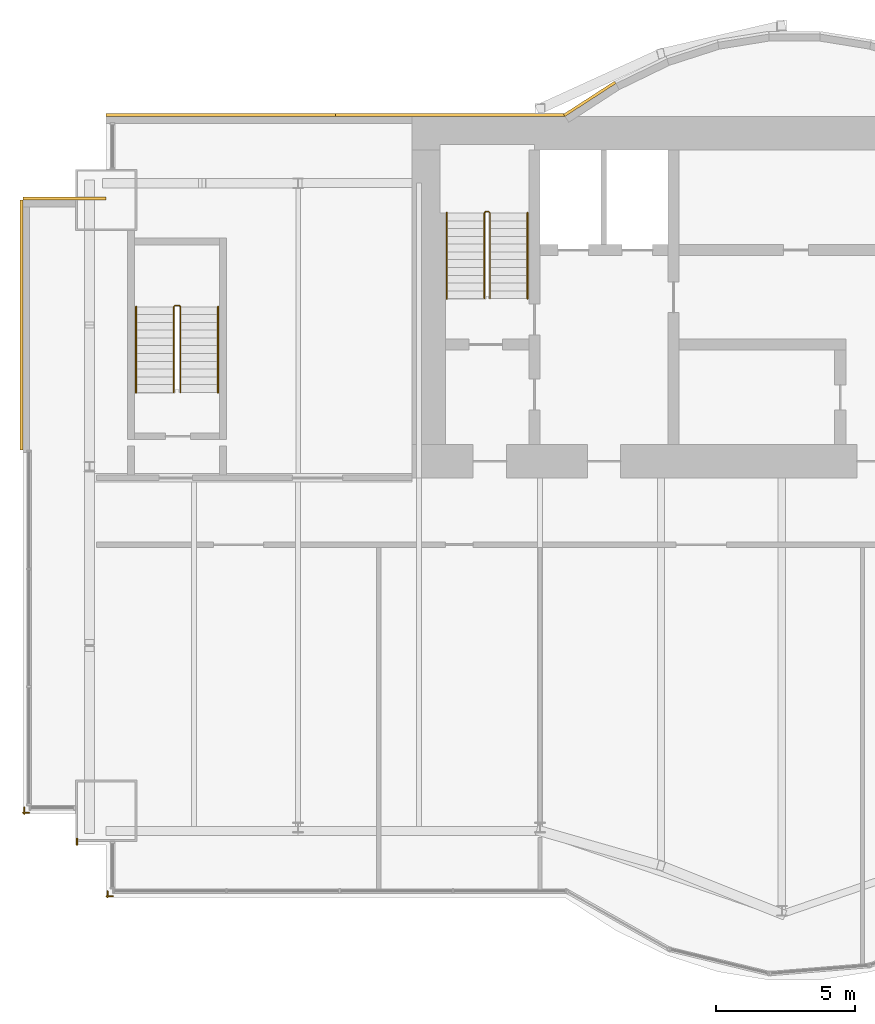
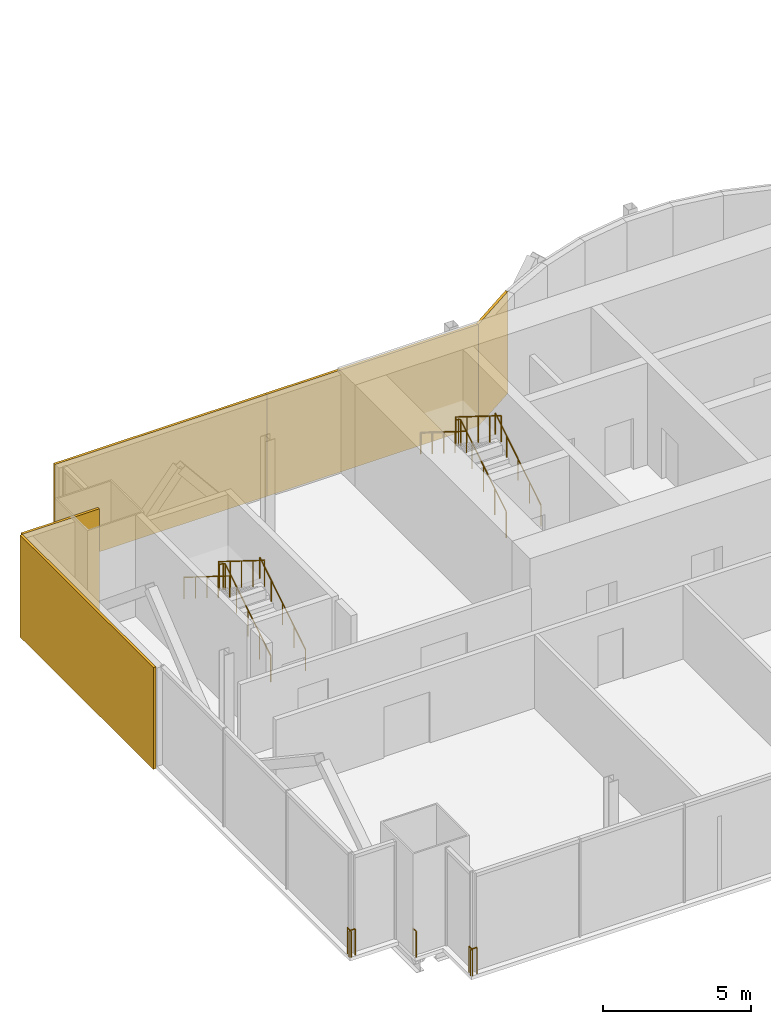
# One storey, part 17 of 19: 9 railings, 5 coverings.
"""IFC4 building model written with IfcOpenShell, lengths in metres."""

from ifc_helpers import new_model, si_unit, direction, frame, origin, origin_2d, place, context, subcontext, project, spatial, rectangle, circle, extrude, material, layer, layer_set, type_object, element, save


model = new_model("IFC4")

# Units and contexts
model_context = context("Model", 3, precision=1e-05, world=origin(), true_north=direction((0.0, 1.0)))
body_context = subcontext(model_context, "Body", "Model", "MODEL_VIEW")
ifc_project = project(units=[si_unit("LENGTHUNIT", "METRE"), si_unit("AREAUNIT", "SQUARE_METRE"), si_unit("VOLUMEUNIT", "CUBIC_METRE"), si_unit("PLANEANGLEUNIT", "RADIAN"), si_unit("MASSUNIT", "GRAM", prefix="KILO")], contexts=[model_context])

# Site, building, storey
site_placement = place(None, origin())
site = spatial("IfcSite", under=ifc_project, at=site_placement, CompositionType="ELEMENT")
building_placement = place(site_placement, origin())
building = spatial("IfcBuilding", under=site, at=building_placement, Name="Bicima Exchange Tower", CompositionType="ELEMENT")
storey_placement = place(building_placement, frame((0.0, 0.0, 279.199951171875)))
storey = spatial("IfcBuildingStorey", under=building, at=storey_placement, Name="L63", CompositionType="ELEMENT", Elevation=279.199951171875)

# Coverings
ifc_material_1 = material(Name="Bronze metal cladding")
ifc_layer_1 = layer(ifc_material_1, 0.004)
ifc_material_2 = material(Name="Ventilated cavity")
ifc_layer_2 = layer(ifc_material_2, 0.06)
ifc_material_3 = material(Name="Galvanised steel rail and mineral wool", Category="steel")
ifc_layer_3 = layer(ifc_material_3, 0.036)
ifc_layer_set = layer_set([ifc_layer_1, ifc_layer_2, ifc_layer_3], Name="Ventilated cavity")
covering_type = type_object("IfcCoveringType", Name="Bronze metal cladding panel 100", PredefinedType="CLADDING", material=ifc_layer_set)
covering_1_placement = place(storey_placement, frame((-15.610595703125, 0.634521484375, -0.14990234375), z_axis=(0.0, 0.0, 1.0), x_axis=(-0.839790466384, -0.542910648791, 0.0)))
element("IfcCovering", 1, at=covering_1_placement, inside=storey, type_object=covering_type, Name="Bronze cladding L63 19.1", PredefinedType="CLADDING", context=body_context, shape_type="SweptSolid", body=[
    extrude(rectangle(XDim=2.18310546875, YDim=0.10009765625, at=origin_2d()), origin(), (0.0, 0.0, 1.0), 4.199951171875),
])
for number, where, z_axis, x_axis, name in (
    (2, (-20.625, 0.050048828125, -0.14990234375), (0.0, 0.0, 1.0), (-1.0, 0.0, 0.0), "Bronze cladding L63 20.1"),
    (3, (-28.875, 0.050048828125, -0.14990234375), (0.0, 0.0, 1.0), (-1.0, 0.0, 0.0), "Bronze cladding L63 20.2"),
):
    element("IfcCovering", number, at=place(storey_placement, frame(where, z_axis=z_axis, x_axis=x_axis)), inside=storey, type_object=covering_type, Name=name, PredefinedType="CLADDING", context=body_context, shape_type="SweptSolid", body=[
        extrude(rectangle(XDim=8.25, YDim=0.10009765625, at=origin_2d()), origin(), (0.0, 0.0, 1.0), 4.199951171875),
    ])
covering_2_placement = place(storey_placement, frame((-34.5, -2.949951171875, -0.14990234375), z_axis=(0.0, 0.0, 1.0), x_axis=(-1.0, 0.0, 0.0)))
element("IfcCovering", 4, at=covering_2_placement, inside=storey, type_object=covering_type, Name="Bronze cladding L63 22.1", PredefinedType="CLADDING", context=body_context, shape_type="SweptSolid", body=[
    extrude(rectangle(XDim=3.0, YDim=0.10009765625, at=origin_2d()), origin(), (0.0, 0.0, 1.0), 4.199951171875),
])
covering_3_placement = place(storey_placement, frame((-36.050048828125, -7.5, -0.14990234375), z_axis=(0.0, 0.0, 1.0), x_axis=(0.0, -1.0, 0.0)))
element("IfcCovering", 5, at=covering_3_placement, inside=storey, type_object=covering_type, Name="Bronze cladding L63 23.1", PredefinedType="CLADDING", context=body_context, shape_type="SweptSolid", body=[
    extrude(rectangle(XDim=9.0, YDim=0.10009765625, at=origin_2d()), origin(), (0.0, 0.0, 1.0), 4.199951171875),
])

# Railings
ifc_material_4 = material(Name="Stainless steel and bonded safety glass", Category="steel")
railing_type_1 = type_object("IfcRailingType", Name="Edge guard 1100", PredefinedType="GUARDRAIL", material=ifc_material_4)
railing_1_placement = place(storey_placement, frame((-35.762939453125, -25.0419921875, 0.0)))
element("IfcRailing", 6, at=railing_1_placement, inside=storey, type_object=railing_type_1, Name="Edge guard L63 325", PredefinedType="GUARDRAIL", context=body_context, shape_type="SweptSolid", body=[
    extrude(circle(Radius=0.02392578125, at=origin_2d()), frame((0.0, 0.0, 1.076171875), z_axis=(-1.0, 0.0, 0.0), x_axis=(0.0, -1.0, 0.0)), (0.0, 0.0, 1.0), 0.237060546875),
    extrude(circle(Radius=0.02392578125, at=origin_2d()), frame((-0.237060546875, 0.0, 1.076171875), z_axis=(0.707106781187, -0.707106781187, 0.0), x_axis=(0.707106781187, 0.707106781187, 0.0)), (0.0, 0.0, 1.0), 0.07080078125),
    extrude(circle(Radius=0.02392578125, at=origin_2d()), frame((-0.18701171875, -0.050048828125, 1.076171875), z_axis=(0.0, 1.0, 0.0), x_axis=(-1.0, 0.0, 0.0)), (0.0, 0.0, 1.0), 0.248046875),
    extrude(circle(Radius=0.02099609375, at=origin_2d()), origin(), (0.0, 0.0, 1.0), 1.052001953125),
    extrude(circle(Radius=0.02099609375, at=origin_2d()), frame((-0.237060546875, 0.0, 0.0)), (0.0, 0.0, 1.0), 1.052001953125),
    extrude(circle(Radius=0.02099609375, at=origin_2d()), frame((-0.18701171875, -0.050048828125, 0.0)), (0.0, 0.0, 1.0), 1.052001953125),
    extrude(circle(Radius=0.02099609375, at=origin_2d()), frame((-0.18701171875, 0.197998046875, 0.0)), (0.0, 0.0, 1.0), 1.052001953125),
])
railing_2_placement = place(storey_placement, frame((-32.75, -28.0419921875, 0.0)))
element("IfcRailing", 7, at=railing_2_placement, inside=storey, type_object=railing_type_1, Name="Edge guard L63 329", PredefinedType="GUARDRAIL", context=body_context, shape_type="SweptSolid", body=[
    extrude(circle(Radius=0.02392578125, at=origin_2d()), frame((0.0, 0.0, 1.076171875), z_axis=(-1.0, 0.0, 0.0), x_axis=(0.0, -1.0, 0.0)), (0.0, 0.0, 1.0), 0.25),
    extrude(circle(Radius=0.02392578125, at=origin_2d()), frame((-0.25, 0.0, 1.076171875), z_axis=(0.707106781187, -0.707106781187, 0.0), x_axis=(0.707106781187, 0.707106781187, 0.0)), (0.0, 0.0, 1.0), 0.07080078125),
    extrude(circle(Radius=0.02392578125, at=origin_2d()), frame((-0.199951171875, -0.050048828125, 1.076171875), z_axis=(0.0, 1.0, 0.0), x_axis=(-1.0, 0.0, 0.0)), (0.0, 0.0, 1.0), 0.238037109375),
    extrude(circle(Radius=0.02099609375, at=origin_2d()), origin(), (0.0, 0.0, 1.0), 1.052001953125),
    extrude(circle(Radius=0.02099609375, at=origin_2d()), frame((-0.25, 0.0, 0.0)), (0.0, 0.0, 1.0), 1.052001953125),
    extrude(circle(Radius=0.02099609375, at=origin_2d()), frame((-0.199951171875, -0.050048828125, 0.0)), (0.0, 0.0, 1.0), 1.052001953125),
    extrude(circle(Radius=0.02099609375, at=origin_2d()), frame((-0.199951171875, 0.18798828125, 0.0)), (0.0, 0.0, 1.0), 1.052001953125),
])
railing_3_placement = place(storey_placement, frame((-34.050048828125, -26.19189453125, 0.0)))
element("IfcRailing", 8, at=railing_3_placement, inside=storey, type_object=railing_type_1, Name="Edge guard L63 330", PredefinedType="GUARDRAIL", context=body_context, shape_type="SweptSolid", body=[
    extrude(circle(Radius=0.02392578125, at=origin_2d()), frame((0.0, 0.0, 1.076171875), z_axis=(0.0, 1.0, 0.0), x_axis=(-1.0, 0.0, 0.0)), (0.0, 0.0, 1.0), 0.219970703125),
    extrude(circle(Radius=0.02099609375, at=origin_2d()), origin(), (0.0, 0.0, 1.0), 1.052001953125),
    extrude(circle(Radius=0.02099609375, at=origin_2d()), frame((0.0, 0.219970703125, 0.0)), (0.0, 0.0, 1.0), 1.052001953125),
])
ifc_material_5 = material(Name="Stainless steel", Category="steel")
railing_type_2 = type_object("IfcRailingType", Name="Stair guard 1100", PredefinedType="GUARDRAIL", material=ifc_material_5)
railing_4_placement = place(storey_placement, frame((-19.199951171875, -6.550048828125, 0.175048828125)))
element("IfcRailing", 9, at=railing_4_placement, inside=storey, type_object=railing_type_2, Name="L63 ST-W stair guard 1", PredefinedType="GUARDRAIL", context=body_context, shape_type="SweptSolid", body=[
    extrude(circle(Radius=0.02392578125, at=origin_2d()), frame((0.0, 0.0, 1.076171875), z_axis=(0.0, 0.847998304005, 0.529998940003), x_axis=(-1.0, 0.0, 0.0)), (0.0, 0.0, 1.0), 3.632080078125),
    extrude(circle(Radius=0.02392578125, at=origin_2d()), frame((0.0, 3.080078125, 3.0009765625), z_axis=(-0.707106781187, 0.707106781187, 0.0), x_axis=(-0.707106781187, -0.707106781187, 0.0)), (0.0, 0.0, 1.0), 0.07080078125),
    extrude(circle(Radius=0.02392578125, at=origin_2d()), frame((-0.050048828125, 3.130126953125, 3.0009765625), z_axis=(-1.0, 0.0, 0.0), x_axis=(0.0, -1.0, 0.0)), (0.0, 0.0, 1.0), 0.10009765625),
    extrude(circle(Radius=0.02392578125, at=origin_2d()), frame((-0.150146484375, 3.130126953125, 3.0009765625), z_axis=(-0.263862480399, -0.265155923931, 0.927399011991), x_axis=(0.708833529934, -0.705375805398, 0.0)), (0.0, 0.0, 1.0), 0.188720703125),
    extrude(circle(Radius=0.02392578125, at=origin_2d()), frame((-0.199951171875, 3.080078125, 3.17626953125), z_axis=(0.0, -0.848028513186, 0.529950602248), x_axis=(1.0, 0.0, 0.0)), (0.0, 0.0, 1.0), 3.632080078125),
    extrude(circle(Radius=0.02099609375, at=origin_2d()), origin(), (0.0, 0.0, 1.0), 1.052001953125),
    extrude(circle(Radius=0.02099609375, at=origin_2d()), frame((0.0, 0.77001953125, 0.481201171875)), (0.0, 0.0, 1.0), 1.052001953125),
    extrude(circle(Radius=0.02099609375, at=origin_2d()), frame((0.0, 1.5400390625, 0.96240234375)), (0.0, 0.0, 1.0), 1.052001953125),
    extrude(circle(Radius=0.02099609375, at=origin_2d()), frame((0.0, 2.31005859375, 1.44384765625)), (0.0, 0.0, 1.0), 1.052001953125),
    extrude(circle(Radius=0.02099609375, at=origin_2d()), frame((0.0, 3.080078125, 1.925048828125)), (0.0, 0.0, 1.0), 1.052001953125),
    extrude(circle(Radius=0.02099609375, at=origin_2d()), frame((-0.050048828125, 3.130126953125, 1.925048828125)), (0.0, 0.0, 1.0), 1.052001953125),
    extrude(circle(Radius=0.02099609375, at=origin_2d()), frame((-0.150146484375, 3.130126953125, 1.925048828125)), (0.0, 0.0, 1.0), 1.052001953125),
    extrude(circle(Radius=0.02099609375, at=origin_2d()), frame((-0.199951171875, 3.080078125, 2.10009765625)), (0.0, 0.0, 1.0), 1.052001953125),
    extrude(circle(Radius=0.02099609375, at=origin_2d()), frame((-0.199951171875, 2.31005859375, 2.581298828125)), (0.0, 0.0, 1.0), 1.052001953125),
    extrude(circle(Radius=0.02099609375, at=origin_2d()), frame((-0.199951171875, 1.5400390625, 3.0625)), (0.0, 0.0, 1.0), 1.052001953125),
    extrude(circle(Radius=0.02099609375, at=origin_2d()), frame((-0.199951171875, 0.77001953125, 3.543701171875)), (0.0, 0.0, 1.0), 1.052001953125),
    extrude(circle(Radius=0.02099609375, at=origin_2d()), frame((-0.199951171875, 0.0, 4.02490234375)), (0.0, 0.0, 1.0), 1.052001953125),
])
railing_5_placement = place(storey_placement, frame((-30.324951171875, -9.925048828125, 0.175048828125)))
element("IfcRailing", 10, at=railing_5_placement, inside=storey, type_object=railing_type_2, Name="L63 ST-WW stair guard 1", PredefinedType="GUARDRAIL", context=body_context, shape_type="SweptSolid", body=[
    extrude(circle(Radius=0.02392578125, at=origin_2d()), frame((0.0, 0.0, 1.076171875), z_axis=(0.0, 0.847998304005, 0.529998940003), x_axis=(-1.0, 0.0, 0.0)), (0.0, 0.0, 1.0), 3.632080078125),
    extrude(circle(Radius=0.02392578125, at=origin_2d()), frame((0.0, 3.080078125, 3.0009765625), z_axis=(-0.707106781187, 0.707106781187, 0.0), x_axis=(-0.707106781187, -0.707106781187, 0.0)), (0.0, 0.0, 1.0), 0.07080078125),
    extrude(circle(Radius=0.02392578125, at=origin_2d()), frame((-0.050048828125, 3.130126953125, 3.0009765625), z_axis=(-1.0, 0.0, 0.0), x_axis=(0.0, -1.0, 0.0)), (0.0, 0.0, 1.0), 0.14990234375),
    extrude(circle(Radius=0.02392578125, at=origin_2d()), frame((-0.199951171875, 3.130126953125, 3.0009765625), z_axis=(-0.265065253269, -0.265065253269, 0.927081885822), x_axis=(0.707106781187, -0.707106781187, 0.0)), (0.0, 0.0, 1.0), 0.188720703125),
    extrude(circle(Radius=0.02392578125, at=origin_2d()), frame((-0.25, 3.080078125, 3.17626953125), z_axis=(0.0, -0.848028513186, 0.529950602248), x_axis=(1.0, 0.0, 0.0)), (0.0, 0.0, 1.0), 3.632080078125),
    extrude(circle(Radius=0.02099609375, at=origin_2d()), origin(), (0.0, 0.0, 1.0), 1.052001953125),
    extrude(circle(Radius=0.02099609375, at=origin_2d()), frame((0.0, 0.77001953125, 0.481201171875)), (0.0, 0.0, 1.0), 1.052001953125),
    extrude(circle(Radius=0.02099609375, at=origin_2d()), frame((0.0, 1.5400390625, 0.96240234375)), (0.0, 0.0, 1.0), 1.052001953125),
    extrude(circle(Radius=0.02099609375, at=origin_2d()), frame((0.0, 2.31005859375, 1.44384765625)), (0.0, 0.0, 1.0), 1.052001953125),
    extrude(circle(Radius=0.02099609375, at=origin_2d()), frame((0.0, 3.080078125, 1.925048828125)), (0.0, 0.0, 1.0), 1.052001953125),
    extrude(circle(Radius=0.02099609375, at=origin_2d()), frame((-0.050048828125, 3.130126953125, 1.925048828125)), (0.0, 0.0, 1.0), 1.052001953125),
    extrude(circle(Radius=0.02099609375, at=origin_2d()), frame((-0.199951171875, 3.130126953125, 1.925048828125)), (0.0, 0.0, 1.0), 1.052001953125),
    extrude(circle(Radius=0.02099609375, at=origin_2d()), frame((-0.25, 3.080078125, 2.10009765625)), (0.0, 0.0, 1.0), 1.052001953125),
    extrude(circle(Radius=0.02099609375, at=origin_2d()), frame((-0.25, 2.31005859375, 2.581298828125)), (0.0, 0.0, 1.0), 1.052001953125),
    extrude(circle(Radius=0.02099609375, at=origin_2d()), frame((-0.25, 1.5400390625, 3.0625)), (0.0, 0.0, 1.0), 1.052001953125),
    extrude(circle(Radius=0.02099609375, at=origin_2d()), frame((-0.25, 0.77001953125, 3.543701171875)), (0.0, 0.0, 1.0), 1.052001953125),
    extrude(circle(Radius=0.02099609375, at=origin_2d()), frame((-0.25, 0.0, 4.02490234375)), (0.0, 0.0, 1.0), 1.052001953125),
])
railing_type_3 = type_object("IfcRailingType", Name="Stair handrail 900", PredefinedType="HANDRAIL", material=ifc_material_5)
railing_6_placement = place(storey_placement, frame((-17.85009765625, -6.550048828125, 0.175048828125)))
element("IfcRailing", 11, at=railing_6_placement, inside=storey, type_object=railing_type_3, Name="L63 ST-W stair handrail 1", PredefinedType="HANDRAIL", context=body_context, shape_type="SweptSolid", body=[
    extrude(circle(Radius=0.02392578125, at=origin_2d()), frame((0.0, 0.0, 0.8759765625), z_axis=(0.0, 0.847998304005, 0.529998940003), x_axis=(-1.0, 0.0, 0.0)), (0.0, 0.0, 1.0), 3.632080078125),
    extrude(circle(Radius=0.02099609375, at=origin_2d()), origin(), (0.0, 0.0, 1.0), 0.851806640625),
    extrude(circle(Radius=0.02099609375, at=origin_2d()), frame((0.0, 0.77001953125, 0.481201171875)), (0.0, 0.0, 1.0), 0.851806640625),
    extrude(circle(Radius=0.02099609375, at=origin_2d()), frame((0.0, 1.5400390625, 0.96240234375)), (0.0, 0.0, 1.0), 0.851806640625),
    extrude(circle(Radius=0.02099609375, at=origin_2d()), frame((0.0, 2.31005859375, 1.44384765625)), (0.0, 0.0, 1.0), 0.851806640625),
    extrude(circle(Radius=0.02099609375, at=origin_2d()), frame((0.0, 3.080078125, 1.925048828125)), (0.0, 0.0, 1.0), 0.851806640625),
])
railing_7_placement = place(storey_placement, frame((-20.75, -3.469970703125, 2.303955078125)))
element("IfcRailing", 12, at=railing_7_placement, inside=storey, type_object=railing_type_3, Name="L63 ST-W stair handrail 2", PredefinedType="HANDRAIL", context=body_context, shape_type="SweptSolid", body=[
    extrude(circle(Radius=0.02392578125, at=origin_2d()), frame((0.0, 0.0, 0.8759765625), z_axis=(0.0, -0.847998304005, 0.529998940003), x_axis=(1.0, 0.0, 0.0)), (0.0, 0.0, 1.0), 3.632080078125),
    extrude(circle(Radius=0.02099609375, at=origin_2d()), origin(), (0.0, 0.0, 1.0), 0.851806640625),
    extrude(circle(Radius=0.02099609375, at=origin_2d()), frame((0.0, -0.77001953125, 0.481201171875)), (0.0, 0.0, 1.0), 0.851806640625),
    extrude(circle(Radius=0.02099609375, at=origin_2d()), frame((0.0, -1.5400390625, 0.96240234375)), (0.0, 0.0, 1.0), 0.851806640625),
    extrude(circle(Radius=0.02099609375, at=origin_2d()), frame((0.0, -2.31005859375, 1.44384765625)), (0.0, 0.0, 1.0), 0.851806640625),
    extrude(circle(Radius=0.02099609375, at=origin_2d()), frame((0.0, -3.080078125, 1.925048828125)), (0.0, 0.0, 1.0), 0.851806640625),
])
railing_8_placement = place(storey_placement, frame((-28.97509765625, -9.925048828125, 0.175048828125)))
element("IfcRailing", 13, at=railing_8_placement, inside=storey, type_object=railing_type_3, Name="L63 ST-WW stair handrail 1", PredefinedType="HANDRAIL", context=body_context, shape_type="SweptSolid", body=[
    extrude(circle(Radius=0.02392578125, at=origin_2d()), frame((0.0, 0.0, 0.8759765625), z_axis=(0.0, 0.847998304005, 0.529998940003), x_axis=(-1.0, 0.0, 0.0)), (0.0, 0.0, 1.0), 3.632080078125),
    extrude(circle(Radius=0.02099609375, at=origin_2d()), origin(), (0.0, 0.0, 1.0), 0.851806640625),
    extrude(circle(Radius=0.02099609375, at=origin_2d()), frame((0.0, 0.77001953125, 0.481201171875)), (0.0, 0.0, 1.0), 0.851806640625),
    extrude(circle(Radius=0.02099609375, at=origin_2d()), frame((0.0, 1.5400390625, 0.96240234375)), (0.0, 0.0, 1.0), 0.851806640625),
    extrude(circle(Radius=0.02099609375, at=origin_2d()), frame((0.0, 2.31005859375, 1.44384765625)), (0.0, 0.0, 1.0), 0.851806640625),
    extrude(circle(Radius=0.02099609375, at=origin_2d()), frame((0.0, 3.080078125, 1.925048828125)), (0.0, 0.0, 1.0), 0.851806640625),
])
railing_9_placement = place(storey_placement, frame((-31.925048828125, -6.844970703125, 2.303955078125)))
element("IfcRailing", 14, at=railing_9_placement, inside=storey, type_object=railing_type_3, Name="L63 ST-WW stair handrail 2", PredefinedType="HANDRAIL", context=body_context, shape_type="SweptSolid", body=[
    extrude(circle(Radius=0.02392578125, at=origin_2d()), frame((0.0, 0.0, 0.8759765625), z_axis=(0.0, -0.847998304005, 0.529998940003), x_axis=(1.0, 0.0, 0.0)), (0.0, 0.0, 1.0), 3.632080078125),
    extrude(circle(Radius=0.02099609375, at=origin_2d()), origin(), (0.0, 0.0, 1.0), 0.851806640625),
    extrude(circle(Radius=0.02099609375, at=origin_2d()), frame((0.0, -0.77001953125, 0.481201171875)), (0.0, 0.0, 1.0), 0.851806640625),
    extrude(circle(Radius=0.02099609375, at=origin_2d()), frame((0.0, -1.5400390625, 0.96240234375)), (0.0, 0.0, 1.0), 0.851806640625),
    extrude(circle(Radius=0.02099609375, at=origin_2d()), frame((0.0, -2.31005859375, 1.44384765625)), (0.0, 0.0, 1.0), 0.851806640625),
    extrude(circle(Radius=0.02099609375, at=origin_2d()), frame((0.0, -3.080078125, 1.925048828125)), (0.0, 0.0, 1.0), 0.851806640625),
])

save(model, "model.ifc")
